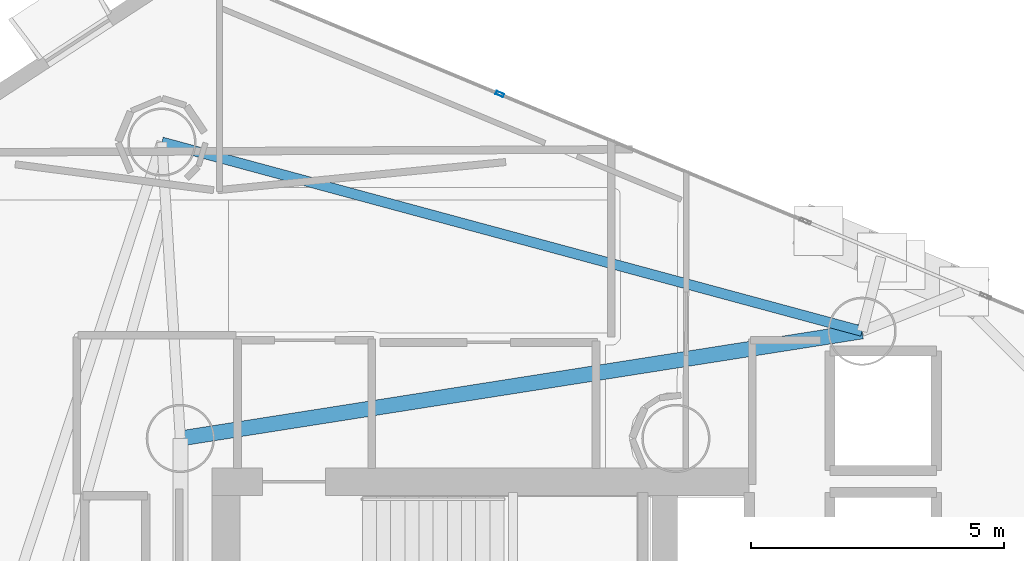
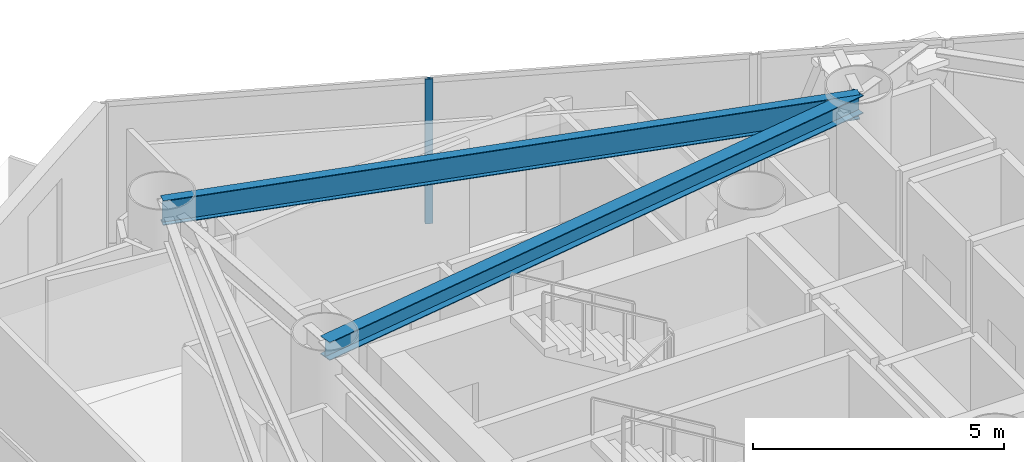
# One storey, part 12 of 23: 2 beams, 1 member, 1 element without a shape of its own.
"""IFC4 building model written with IfcOpenShell, lengths in metres."""

import ifcopenshell
import ifcopenshell.guid

model = None  # the IFC model being written
_history = None  # IfcOwnerHistory: only IFC2X3 demands one
_inside = {}  # id of a spatial element -> (the spatial element, [elements in it])
_under = {}  # id of a project, library or spatial element -> (it, [spatial elements below it])
_declared = {}  # id of a project -> (the project, [libraries it declares])
_typed = {}  # id of a type object -> (the type object, [elements of that type])
_made_of = {}  # id of a material, layer set ... -> (it, [elements and type objects made of it])


def new_model(schema):
    """Start an empty IFC model of exactly this schema.

    Asked for "IFC4X3", IfcOpenShell would pick the latest addendum, in which some entities
    have other attributes; the version numbers below select the first issue.
    IFC2X3 requires an IfcOwnerHistory on every rooted entity: one is made here for all.
    """
    global model, _history
    if schema == "IFC4X3":
        model = ifcopenshell.file(schema_version=(4, 3, 0, 0))
    else:
        model = ifcopenshell.file(schema=schema)
    _inside.clear()
    _under.clear()
    _declared.clear()
    _typed.clear()
    _made_of.clear()
    _history = None
    if model.schema == "IFC2X3":
        org = make("IfcOrganization", Name="unknown")
        user = make(
            "IfcPersonAndOrganization",
            ThePerson=make("IfcPerson", FamilyName="unknown"),
            TheOrganization=org,
        )
        app = make(
            "IfcApplication",
            ApplicationDeveloper=org,
            Version="unknown",
            ApplicationFullName="unknown",
            ApplicationIdentifier="unknown",
        )
        _history = make(
            "IfcOwnerHistory",
            OwningUser=user,
            OwningApplication=app,
            ChangeAction="ADDED",
            CreationDate=0,
        )
    return model


def make(cls, **values):
    """One entity of the class cls with the attributes given. An attribute that is None is left unset."""
    return model.create_entity(
        cls, **{name: value for name, value in values.items() if value is not None}
    )


def rooted(cls, **values):
    """An entity with a GlobalId (a new one), such as an element, a storey or a relation."""
    return make(cls, GlobalId=ifcopenshell.guid.new(), OwnerHistory=_history, **values)


def si_unit(unit_type, name, prefix=None):
    """IfcSIUnit, for example si_unit("LENGTHUNIT", "METRE", prefix="MILLI")."""
    return make("IfcSIUnit", UnitType=unit_type, Prefix=prefix, Name=name)


def assignment(units):
    """IfcUnitAssignment: the units of a project."""
    return None if units is None else make("IfcUnitAssignment", Units=units)


def point(xyz):
    """IfcCartesianPoint."""
    return None if xyz is None else make("IfcCartesianPoint", Coordinates=xyz)


def direction(xyz):
    """IfcDirection."""
    return None if xyz is None else make("IfcDirection", DirectionRatios=xyz)


def frame(location, z_axis=None, x_axis=None):
    """IfcAxis2Placement3D, a coordinate frame: its origin and axes. An axis left out is left unset."""
    return make(
        "IfcAxis2Placement3D",
        Location=point(location),
        Axis=direction(z_axis),
        RefDirection=direction(x_axis),
    )


def frame_2d(location, x_axis=None):
    """IfcAxis2Placement2D, a coordinate frame in the plane: its origin and x axis."""
    return make(
        "IfcAxis2Placement2D", Location=point(location), RefDirection=direction(x_axis)
    )


def origin():
    """The frame at (0, 0, 0) with its axes left unset."""
    return frame((0.0, 0.0, 0.0))


def origin_2d():
    """The frame at (0, 0) in the plane with its x axis left unset."""
    return frame_2d((0.0, 0.0))


def place(relative_to, where):
    """IfcLocalPlacement: puts the frame where relative to a parent placement (None: the world)."""
    return make(
        "IfcLocalPlacement", PlacementRelTo=relative_to, RelativePlacement=where
    )


def context(
    kind, dimensions, precision=None, world=None, true_north=None, identifier=None
):
    """IfcGeometricRepresentationContext, for example the 3D "Model" context."""
    return make(
        "IfcGeometricRepresentationContext",
        ContextIdentifier=identifier,
        ContextType=kind,
        CoordinateSpaceDimension=dimensions,
        Precision=precision,
        WorldCoordinateSystem=world,
        TrueNorth=true_north,
    )


def subcontext(parent, identifier, kind, view, scale=None):
    """IfcGeometricRepresentationSubContext, for example "Body" below "Model"."""
    return make(
        "IfcGeometricRepresentationSubContext",
        ContextIdentifier=identifier,
        ContextType=kind,
        ParentContext=parent,
        TargetScale=scale,
        TargetView=view,
    )


def project(units=None, contexts=None):
    """IfcProject with its units and contexts."""
    return rooted(
        "IfcProject",
        Name="project",
        RepresentationContexts=contexts,
        UnitsInContext=assignment(units),
    )


def spatial(cls, under=None, at=None, **own):
    """A site, building, storey or space (cls), placed at a placement, below another one or the project."""
    s = rooted(cls, ObjectPlacement=at, **own)
    if under is not None:
        _under.setdefault(under.id(), (under, []))[1].append(s)
    return s


def profile(cls, at=None, kind="AREA", **sizes):
    """A parametric profile (cls). Its sizes go by their IFC names, for example OverallWidth=200.0."""
    return make(cls, ProfileType=kind, Position=at, **sizes)


def hollow_rectangle(**sizes):
    """IfcRectangleHollowProfileDef."""
    return profile("IfcRectangleHollowProfileDef", **sizes)


def i_section(**sizes):
    """IfcIShapeProfileDef."""
    return profile("IfcIShapeProfileDef", **sizes)


def extrude(swept, where, along, depth):
    """IfcExtrudedAreaSolid: the profile swept, set in the frame where, extruded along a direction by depth."""
    return make(
        "IfcExtrudedAreaSolid",
        SweptArea=swept,
        Position=where,
        ExtrudedDirection=direction(along),
        Depth=depth,
    )


def shape(context_of_items, identifier, shape_type, items):
    """IfcShapeRepresentation: the items that make up one representation, for example the "Body"."""
    return make(
        "IfcShapeRepresentation",
        ContextOfItems=context_of_items,
        RepresentationIdentifier=identifier,
        RepresentationType=shape_type,
        Items=items,
    )


def material(Name=None, Category=None):
    """IfcMaterial."""
    return make("IfcMaterial", Name=Name, Category=Category)


def layer(
    of_material, thickness, ventilated=None, Name=None, Category=None, Priority=None
):
    """IfcMaterialLayer: one layer of a wall or slab, of a material (None: an air gap)."""
    return make(
        "IfcMaterialLayer",
        Material=of_material,
        LayerThickness=thickness,
        IsVentilated=ventilated,
        Name=Name,
        Category=Category,
        Priority=Priority,
    )


def layer_set(layers, Name=None):
    """IfcMaterialLayerSet."""
    return make("IfcMaterialLayerSet", MaterialLayers=layers, LayerSetName=Name)


def material_profile(
    of_material, cross_section, Name=None, Category=None, Priority=None
):
    """IfcMaterialProfile: a cross section and its material."""
    return make(
        "IfcMaterialProfile",
        Name=Name,
        Material=of_material,
        Profile=cross_section,
        Priority=Priority,
        Category=Category,
    )


def profile_set(profiles, Name=None, composite=None):
    """IfcMaterialProfileSet."""
    return make(
        "IfcMaterialProfileSet",
        Name=Name,
        MaterialProfiles=profiles,
        CompositeProfile=composite,
    )


def made_of(thing, what):
    """Note that an element or type object is made of a material, layer set ...; save() writes the relation."""
    if what is not None:
        _made_of.setdefault(what.id(), (what, []))[1].append(thing)
    return thing


def type_object(cls, material=None, **own):
    """A type object (cls), such as IfcWallType, which elements share."""
    return made_of(rooted(cls, **own), material)


def element(
    cls,
    number,
    at=None,
    inside=None,
    cuts=None,
    type_object=None,
    material=None,
    context=None,
    identifier="Body",
    shape_type=None,
    held_by="IfcProductDefinitionShape",
    body=None,
    shapes=None,
    **own,
):
    """One element of the class cls, such as IfcWall. Its Tag is "e" and its number.

    at: its placement. inside: the storey or other place that contains it. cuts: it is an
    opening in that element (IfcRelVoidsElement). A single representation is given by context,
    identifier, shape_type and body (its items); several are given by shapes. held_by: the class
    of the entity that holds the representations. save() writes the other relations.
    """
    e = rooted(cls, Tag="e%d" % number, ObjectPlacement=at, **own)
    if body is not None:
        shapes = [shape(context, identifier, shape_type, body)]
    if shapes is not None:
        e.Representation = make(held_by, Representations=shapes)
    if inside is not None:
        _inside.setdefault(inside.id(), (inside, []))[1].append(e)
    if cuts is not None:
        rooted(
            "IfcRelVoidsElement", RelatingBuildingElement=cuts, RelatedOpeningElement=e
        )
    if type_object is not None:
        _typed.setdefault(type_object.id(), (type_object, []))[1].append(e)
    return made_of(e, material)


def aggregate(whole, parts):
    """IfcRelAggregates: a whole, such as a stair, and the parts it consists of."""
    return rooted("IfcRelAggregates", RelatingObject=whole, RelatedObjects=parts)


def save(model, path):
    """Write the relations noted so far, then the file.

    IfcRelAggregates (storeys below a building ...), IfcRelContainedInSpatialStructure (elements
    in a storey), IfcRelDefinesByType, IfcRelAssociatesMaterial and IfcRelDeclares: one each for
    every whole, place, type object, material and project.
    """
    for whole, parts in _under.values():
        aggregate(whole, parts)
    for where, things in _inside.values():
        rooted(
            "IfcRelContainedInSpatialStructure",
            RelatedElements=things,
            RelatingStructure=where,
        )
    for kind, things in _typed.values():
        rooted("IfcRelDefinesByType", RelatedObjects=things, RelatingType=kind)
    for what, things in _made_of.values():
        rooted("IfcRelAssociatesMaterial", RelatedObjects=things, RelatingMaterial=what)
    for by, libraries in _declared.values():
        rooted("IfcRelDeclares", RelatingContext=by, RelatedDefinitions=libraries)
    model.write(path)


model = new_model("IFC4")

# Units and contexts
model_context = context("Model", 3, precision=1e-05, world=origin(), true_north=direction((0.0, 1.0)))
body_context = subcontext(model_context, "Body", "Model", "MODEL_VIEW")
ifc_project = project(units=[si_unit("LENGTHUNIT", "METRE"), si_unit("AREAUNIT", "SQUARE_METRE"), si_unit("VOLUMEUNIT", "CUBIC_METRE"), si_unit("PLANEANGLEUNIT", "RADIAN"), si_unit("MASSUNIT", "GRAM", prefix="KILO")], contexts=[model_context])

# Site, building, storey
site_placement = place(None, origin())
site = spatial("IfcSite", under=ifc_project, at=site_placement, CompositionType="ELEMENT")
building_placement = place(site_placement, origin())
building = spatial("IfcBuilding", under=site, at=building_placement, Name="Qianvela Tower", CompositionType="ELEMENT")
storey_placement = place(building_placement, frame((0.0, 0.0, 162.39990234375)))
storey = spatial("IfcBuildingStorey", under=building, at=storey_placement, Name="L41", CompositionType="ELEMENT", Elevation=162.39990234375)

# Beams
ifc_material_1 = material(Name="Steel Q355B", Category="steel")
ifc_material_profile_1 = material_profile(ifc_material_1, i_section(OverallWidth=0.300048828125, OverallDepth=0.43994140625, WebThickness=0.010986328125, FlangeThickness=0.01806640625, at=origin_2d()), Name="HM440x300x11x18")
ifc_profile_set_1 = profile_set([ifc_material_profile_1], Name="Steel Q355B")
beam_type_1 = type_object("IfcBeamType", Name="BM-HM440-COLL", PredefinedType="BEAM", material=ifc_profile_set_1)
beam_1_placement = place(storey_placement, frame((28.60009765625, 33.550048828125, 3.298095703125), z_axis=(0.98787540104, 0.155248806823, 0.0), x_axis=(-0.155248806823, 0.98787540104, 0.0)))
element("IfcBeam", 1, at=beam_1_placement, inside=storey, type_object=beam_type_1, Name="L41 Perimeter Ring Tie Girder 1B", PredefinedType="BEAM", context=body_context, shape_type="SweptSolid", body=[
    extrude(i_section(OverallWidth=0.300048828125, OverallDepth=0.43994140625, WebThickness=0.010986328125, FlangeThickness=0.01806640625, at=origin_2d()), origin(), (0.0, 0.0, 1.0), 13.6484375),
])
ifc_material_2 = material(Name="Steel Q355B", Category="steel")
ifc_material_profile_2 = material_profile(ifc_material_2, i_section(OverallWidth=0.199951171875, OverallDepth=0.60009765625, WebThickness=0.010986328125, FlangeThickness=0.01708984375, at=origin_2d()), Name="HN600x200x11x17")
ifc_profile_set_2 = profile_set([ifc_material_profile_2], Name="Steel Q355B")
beam_type_2 = type_object("IfcBeamType", Name="BM-HN600-GIRD", PredefinedType="BEAM", material=ifc_profile_set_2)
beam_2_placement = place(storey_placement, frame((42.0830078125, 35.6689453125, 3.218017578125), z_axis=(-0.965376252239, 0.260861441407, 0.0), x_axis=(-0.260861441407, -0.965376252239, 0.0)))
element("IfcBeam", 2, at=beam_2_placement, inside=storey, type_object=beam_type_2, Name="L41 Perimeter Ring Spandrel Girder 2", PredefinedType="BEAM", context=body_context, shape_type="SweptSolid", body=[
    extrude(i_section(OverallWidth=0.199951171875, OverallDepth=0.60009765625, WebThickness=0.010986328125, FlangeThickness=0.01708984375, at=origin_2d()), origin(), (0.0, 0.0, 1.0), 14.344482421875),
])

# Curtain wall, member
ifc_material_3 = material(Name="Anodised Architectural Aluminium and Low-E Glass", Category="aluminium")
ifc_layer = layer(ifc_material_3, 0.169921875)
ifc_layer_set = layer_set([ifc_layer], Name="Anodised Architectural Aluminium and Low-E Glass")
curtain_wall_type = type_object("IfcCurtainWallType", Name="CW-COLIV-Z34", PredefinedType="USERDEFINED", material=ifc_layer_set)
curtain_wall_placement = place(storey_placement, origin())
curtain_wall = element("IfcCurtainWall", 3, at=curtain_wall_placement, inside=storey, type_object=curtain_wall_type, Name="L41 CW-COLIV-Z34 Curtain Wall 02C", ObjectType="CURTAIN_WALL_SYSTEM", PredefinedType="USERDEFINED")
ifc_material_4 = material(Name="Anodised Architectural Aluminium 6063-T6", Category="aluminium")
ifc_material_profile_3 = material_profile(ifc_material_4, hollow_rectangle(XDim=0.06494140625, YDim=0.159912109375, WallThickness=0.0048828125, at=origin_2d()), Name="ALU-MULL-65x160")
ifc_profile_set_3 = profile_set([ifc_material_profile_3], Name="Anodised Architectural Aluminium 6063-T6")
member_type = type_object("IfcMemberType", Name="CW-COLIV-Z34-MULL", PredefinedType="MULLION", material=ifc_profile_set_3)
member_placement = place(storey_placement, frame((34.91845703125, 40.36083984375, 0.0), z_axis=(0.0, 0.0, 1.0), x_axis=(-0.3841819173, -0.923257415037, 0.0)))
member = element("IfcMember", 4, at=member_placement, type_object=member_type, Name="CW-4 mullion 2", PredefinedType="MULLION", context=body_context, shape_type="SweptSolid", body=[
    extrude(hollow_rectangle(XDim=0.06494140625, YDim=0.159912109375, WallThickness=0.0048828125, at=origin_2d()), origin(), (0.0, 0.0, 1.0), 3.52001953125),
])
aggregate(curtain_wall, [member])

save(model, "model.ifc")
